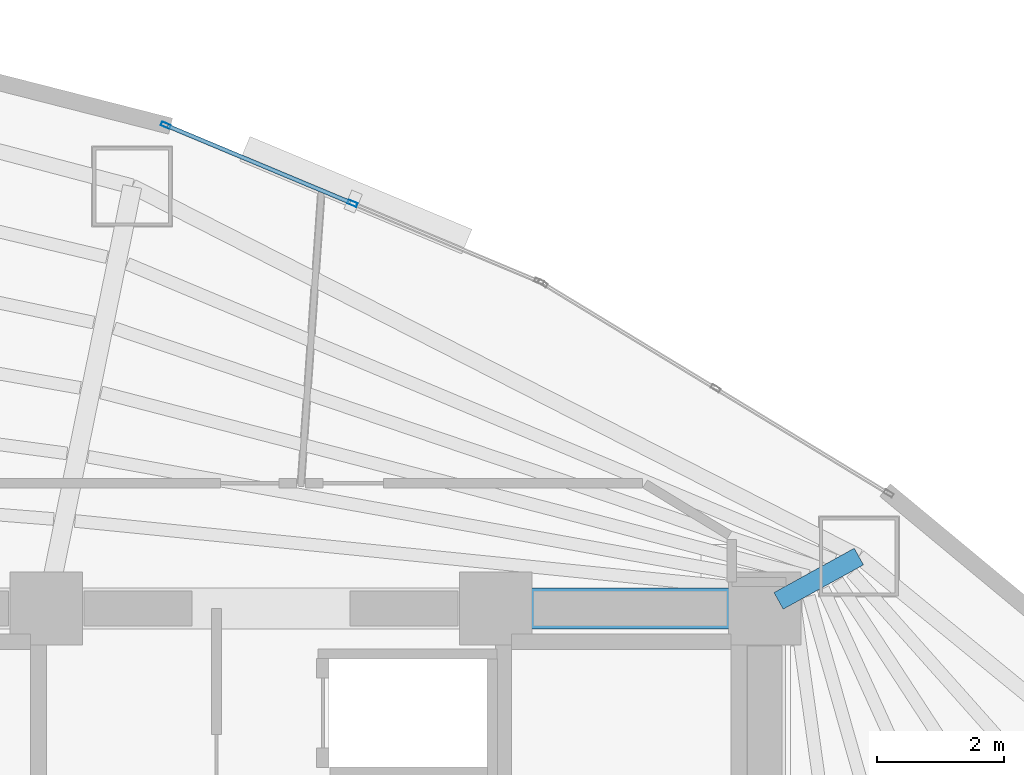
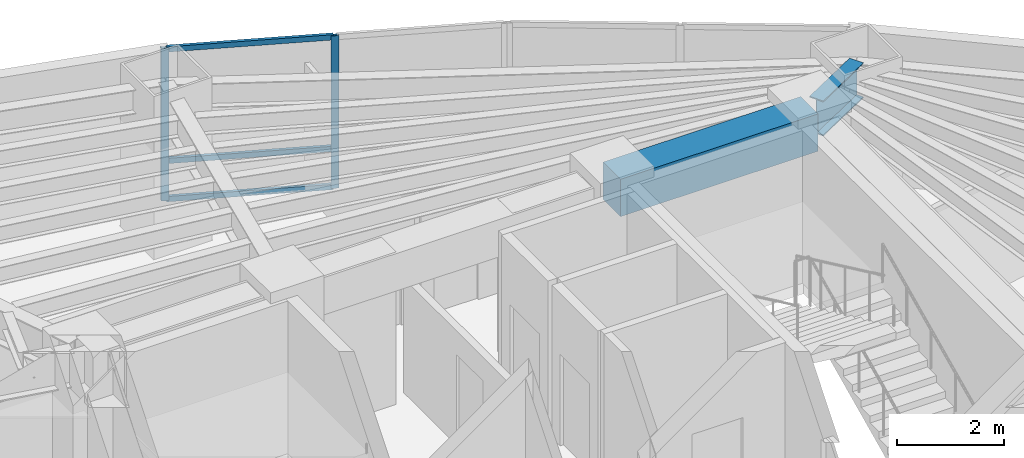
# One storey, part 9 of 19: 5 members, 2 beams, 1 element without a shape of its own.
"""IFC4 building model written with IfcOpenShell, lengths in metres."""

from ifc_helpers import new_model, si_unit, direction, frame, origin, origin_2d, place, context, subcontext, project, spatial, rectangle, hollow_rectangle, i_section, extrude, material, layer, layer_set, material_profile, profile_set, type_object, element, aggregate, save


model = new_model("IFC4")

# Units and contexts
model_context = context("Model", 3, precision=1e-05, world=origin(), true_north=direction((0.0, 1.0)))
body_context = subcontext(model_context, "Body", "Model", "MODEL_VIEW")
ifc_project = project(units=[si_unit("LENGTHUNIT", "METRE"), si_unit("AREAUNIT", "SQUARE_METRE"), si_unit("VOLUMEUNIT", "CUBIC_METRE"), si_unit("PLANEANGLEUNIT", "RADIAN"), si_unit("MASSUNIT", "GRAM", prefix="KILO")], contexts=[model_context])

# Site, building, storey
site_placement = place(None, origin())
site = spatial("IfcSite", under=ifc_project, at=site_placement, CompositionType="ELEMENT")
building_placement = place(site_placement, origin())
building = spatial("IfcBuilding", under=site, at=building_placement, Name="Menara Vayukalpa", CompositionType="ELEMENT")
storey_placement = place(building_placement, frame((0.0, 0.0, 122.580078125)))
storey = spatial("IfcBuildingStorey", under=building, at=storey_placement, Name="L30", CompositionType="ELEMENT", Elevation=122.580078125)

# Beams
ifc_material_1 = material(Name="Concrete C60/75", Category="concrete")
ifc_material_profile_1 = material_profile(ifc_material_1, rectangle(XDim=0.64990234375, YDim=0.85009765625, at=origin_2d()), Name="RC 650x850")
ifc_profile_set_1 = profile_set([ifc_material_profile_1], Name="Concrete C60/75")
beam_type_1 = type_object("IfcBeamType", Name="BM-CB1", PredefinedType="BEAM", material=ifc_profile_set_1)
beam_1_placement = place(storey_placement, frame((29.14990234375, 26.800048828125, 3.044921875), z_axis=(1.0, 0.0, 0.0), x_axis=(0.0, 1.0, 0.0)))
element("IfcBeam", 1, at=beam_1_placement, inside=storey, type_object=beam_type_1, Name="L30 Core Tie Beam CBR6", PredefinedType="BEAM", context=body_context, shape_type="SweptSolid", body=[
    extrude(rectangle(XDim=0.64990234375, YDim=0.85009765625, at=origin_2d()), origin(), (0.0, 0.0, 1.0), 4.25),
])
ifc_material_2 = material(Name="Steel S355", Category="steel")
ifc_material_profile_2 = material_profile(ifc_material_2, i_section(OverallWidth=0.300048828125, OverallDepth=0.800048828125, WebThickness=0.013916015625, FlangeThickness=0.02587890625, at=origin_2d()), Name="WF 800x300x14x26")
ifc_profile_set_2 = profile_set([ifc_material_profile_2], Name="Steel S355")
beam_type_2 = type_object("IfcBeamType", Name="BM-PG3", PredefinedType="BEAM", material=ifc_profile_set_2)
beam_2_placement = place(storey_placement, frame((33.618896484375, 26.9208984375, 3.06982421875), z_axis=(0.875228391676, 0.48370989488, 0.0), x_axis=(-0.48370989488, 0.875228391676, 0.0)))
element("IfcBeam", 2, at=beam_2_placement, inside=storey, type_object=beam_type_2, Name="L30 Primary Radial Girder RG02", PredefinedType="BEAM", context=body_context, shape_type="SweptSolid", body=[
    extrude(i_section(OverallWidth=0.300048828125, OverallDepth=0.800048828125, WebThickness=0.013916015625, FlangeThickness=0.02587890625, at=origin_2d()), origin(), (0.0, 0.0, 1.0), 1.448486328125),
])

# Curtain wall, members
ifc_material_3 = material(Name="Anodised Terracotta Aluminium Alloy 6063-T6", Category="masonry")
ifc_layer = layer(ifc_material_3, 0.14990234375)
ifc_layer_set = layer_set([ifc_layer], Name="Anodised Terracotta Aluminium Alloy 6063-T6")
curtain_wall_type = type_object("IfcCurtainWallType", Name="CW-CW3", PredefinedType="USERDEFINED", material=ifc_layer_set)
curtain_wall_placement = place(storey_placement, origin())
curtain_wall = element("IfcCurtainWall", 3, at=curtain_wall_placement, inside=storey, type_object=curtain_wall_type, Name="L30 Mid Rise Terracotta Ribbon Curtain Wall CW3 05", ObjectType="UNITISED", PredefinedType="USERDEFINED")
ifc_material_4 = material(Name="Anodised Terracotta Aluminium Alloy 6063-T6", Category="masonry")
ifc_material_profile_3 = material_profile(ifc_material_4, hollow_rectangle(XDim=0.06494140625, YDim=0.14990234375, WallThickness=0.00341796875, at=origin_2d()), Name="ALU 65x150x3.5")
ifc_profile_set_3 = profile_set([ifc_material_profile_3], Name="Anodised Terracotta Aluminium Alloy 6063-T6")
member_type_1 = type_object("IfcMemberType", Name="CWM-CW3", PredefinedType="MULLION", material=ifc_profile_set_3)
member_1_placement = place(storey_placement, frame((26.88671875, 33.201416015625, 0.0), z_axis=(0.0, 0.0, 1.0), x_axis=(-0.38589358437, -0.922543300632, 0.0)))
member_1 = element("IfcMember", 4, at=member_1_placement, type_object=member_type_1, Name="CW3 mullion 2", PredefinedType="MULLION", context=body_context, shape_type="SweptSolid", body=[
    extrude(hollow_rectangle(XDim=0.06494140625, YDim=0.14990234375, WallThickness=0.00341796875, at=origin_2d()), origin(), (0.0, 0.0, 1.0), 3.469970703125),
])
member_2_placement = place(storey_placement, frame((23.9375, 34.43505859375, 0.0), z_axis=(0.0, 0.0, 1.0), x_axis=(-0.38589358437, -0.922543300632, 0.0)))
member_2 = element("IfcMember", 5, at=member_2_placement, type_object=member_type_1, Name="CW3 mullion 3", PredefinedType="MULLION", context=body_context, shape_type="SweptSolid", body=[
    extrude(hollow_rectangle(XDim=0.06494140625, YDim=0.14990234375, WallThickness=0.00341796875, at=origin_2d()), origin(), (0.0, 0.0, 1.0), 3.469970703125),
])
ifc_material_5 = material(Name="Anodised Terracotta Aluminium Alloy 6063-T6", Category="masonry")
ifc_material_profile_4 = material_profile(ifc_material_5, hollow_rectangle(XDim=0.06494140625, YDim=0.1201171875, WallThickness=0.00341796875, at=origin_2d()), Name="ALU 65x120x3.5")
ifc_profile_set_4 = profile_set([ifc_material_profile_4], Name="Anodised Terracotta Aluminium Alloy 6063-T6")
member_type_2 = type_object("IfcMemberType", Name="CWT-CW3", PredefinedType="USERDEFINED", material=ifc_profile_set_4)
member_3_placement = place(storey_placement, frame((26.856689453125, 33.2138671875, 0.032470703125), z_axis=(-0.922529423765, 0.385926757673, 0.0), x_axis=(-0.385926757673, -0.922529423765, 0.0)))
member_3 = element("IfcMember", 6, at=member_3_placement, type_object=member_type_2, Name="CW3 transom 2.1", ObjectType="TRANSOM", PredefinedType="USERDEFINED", context=body_context, shape_type="SweptSolid", body=[
    extrude(hollow_rectangle(XDim=0.06494140625, YDim=0.1201171875, WallThickness=0.00341796875, at=origin_2d()), origin(), (0.0, 0.0, 1.0), 3.132080078125),
])
member_4_placement = place(storey_placement, frame((26.856689453125, 33.2138671875, 0.89990234375), z_axis=(-0.922529423765, 0.385926757673, 0.0), x_axis=(-0.385926757673, -0.922529423765, 0.0)))
member_4 = element("IfcMember", 7, at=member_4_placement, type_object=member_type_2, Name="CW3 transom 2.2", ObjectType="TRANSOM", PredefinedType="USERDEFINED", context=body_context, shape_type="SweptSolid", body=[
    extrude(hollow_rectangle(XDim=0.06494140625, YDim=0.1201171875, WallThickness=0.00341796875, at=origin_2d()), origin(), (0.0, 0.0, 1.0), 3.132080078125),
])
member_5_placement = place(storey_placement, frame((26.856689453125, 33.2138671875, 3.4375), z_axis=(-0.922529423765, 0.385926757673, 0.0), x_axis=(-0.385926757673, -0.922529423765, 0.0)))
member_5 = element("IfcMember", 8, at=member_5_placement, type_object=member_type_2, Name="CW3 transom 2.3", ObjectType="TRANSOM", PredefinedType="USERDEFINED", context=body_context, shape_type="SweptSolid", body=[
    extrude(hollow_rectangle(XDim=0.06494140625, YDim=0.1201171875, WallThickness=0.00341796875, at=origin_2d()), origin(), (0.0, 0.0, 1.0), 3.132080078125),
])
aggregate(curtain_wall, [member_1, member_2, member_3, member_4, member_5])

save(model, "model.ifc")
